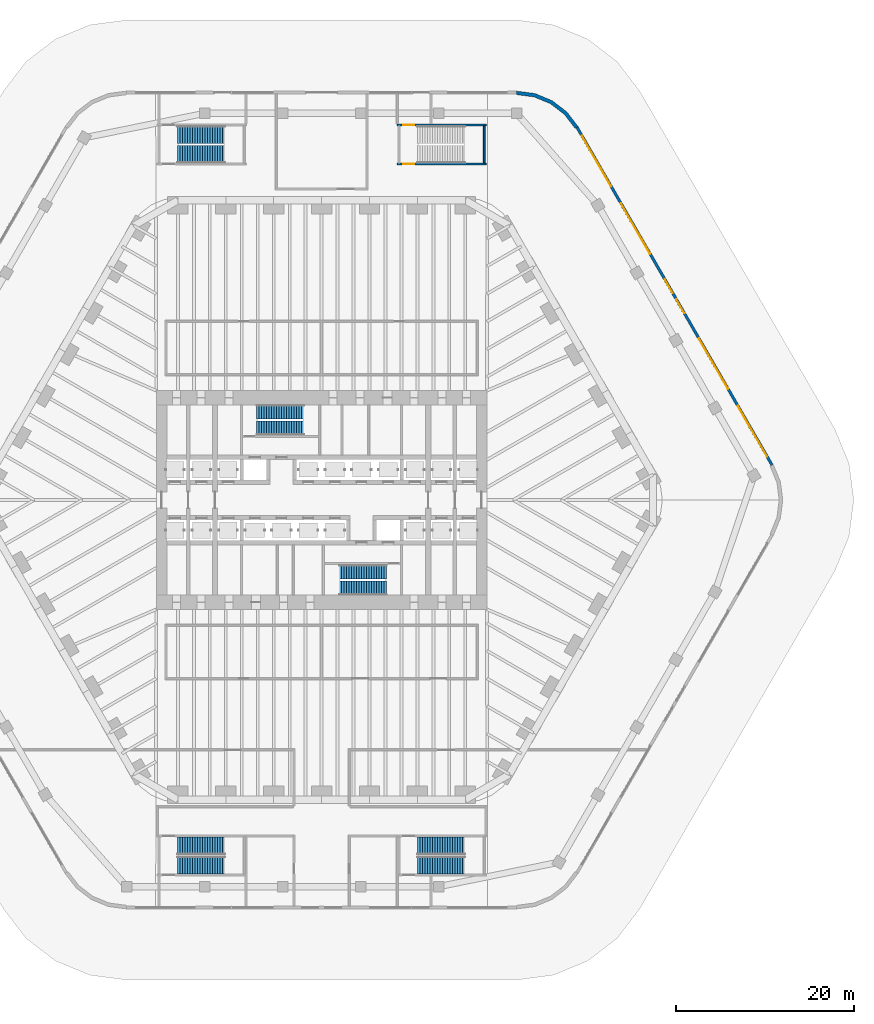
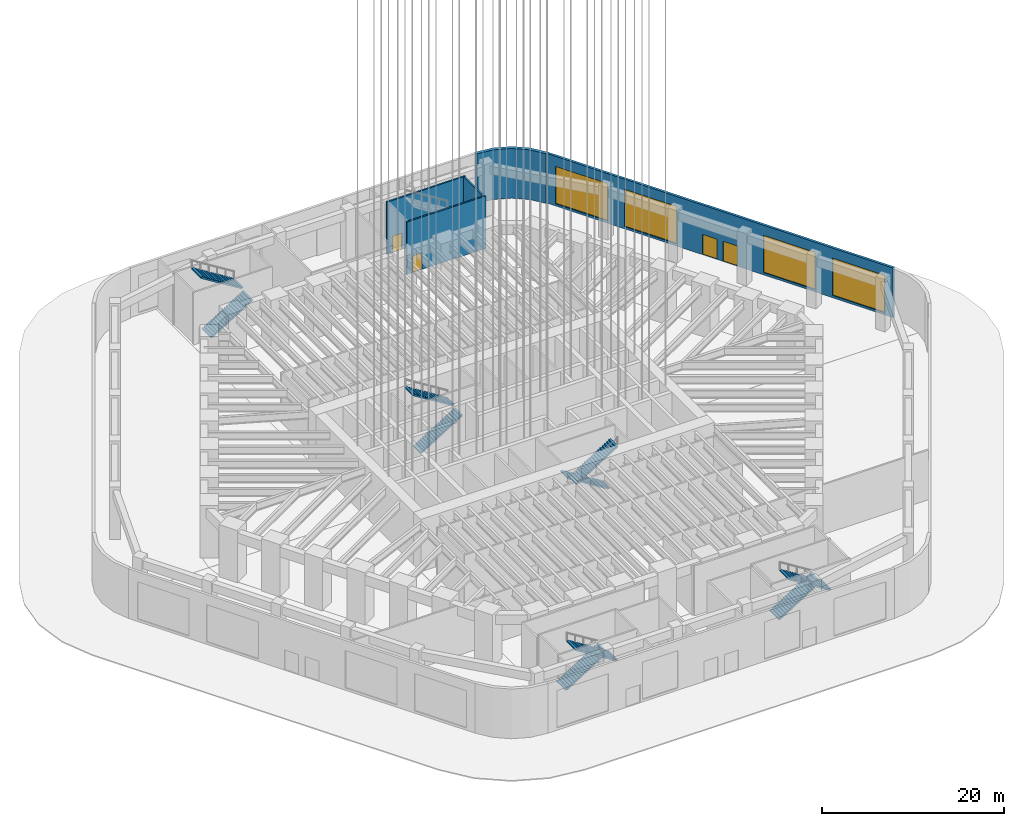
# One storey, part 11 of 23: 10 stair flights, 5 walls, 4 doors, 4 windows, 8 openings, 5 elements without a shape of their own.
"""IFC4 building model written with IfcOpenShell, lengths in metres."""

from ifc_helpers import new_model, si_unit, direction, frame, frame_2d, origin, place, context, subcontext, project, spatial, polyline, rectangle, outline, extrude, material, layer, layer_set, type_object, element, fill, aggregate, save


model = new_model("IFC4")

# Units and contexts
model_context = context("Model", 3, precision=1e-05, world=origin(), true_north=direction((0.0, 1.0)))
body_context = subcontext(model_context, "Body", "Model", "MODEL_VIEW")
ifc_project = project(units=[si_unit("LENGTHUNIT", "METRE"), si_unit("AREAUNIT", "SQUARE_METRE"), si_unit("VOLUMEUNIT", "CUBIC_METRE"), si_unit("PLANEANGLEUNIT", "RADIAN"), si_unit("MASSUNIT", "GRAM", prefix="KILO")], contexts=[model_context])

# Site, building, storey
site_placement = place(None, origin())
site = spatial("IfcSite", under=ifc_project, at=site_placement, CompositionType="ELEMENT")
building_placement = place(site_placement, origin())
building = spatial("IfcBuilding", under=site, at=building_placement, Name="Tarfa Lantern Tower", CompositionType="ELEMENT")
storey_placement = place(building_placement, origin())
storey = spatial("IfcBuildingStorey", under=building, at=storey_placement, Name="L00", CompositionType="ELEMENT", Elevation=0.0)

# Wall, openings, doors, windows
ifc_material_1 = material(Name="Limestone cladding on blockwork", Category="masonry")
ifc_layer_1 = layer(ifc_material_1, 0.300048828125)
ifc_layer_set_1 = layer_set([ifc_layer_1], Name="EW1 STONE-CLAD WALL 300")
wall_type_1 = type_object("IfcWallType", Name="EW1 STONE-CLAD WALL 300", PredefinedType="SOLIDWALL", material=ifc_layer_set_1)
wall_1_placement = place(storey_placement, frame((50.677001953125, 3.925048828125, 0.0), z_axis=(0.0, 0.0, 1.0), x_axis=(-0.500002442456, 0.866023993627, 0.0)))
wall_1 = element("IfcWall", 1, at=wall_1_placement, inside=storey, type_object=wall_type_1, Name="Podium wall NE", PredefinedType="SOLIDWALL", context=body_context, shape_type="SweptSolid", body=[
    extrude(rectangle(XDim=43.878662109375, YDim=0.300048828125, at=frame_2d((21.939453125, 0.0))), origin(), (0.0, 0.0, 1.0), 6.64990234375),
])
opening_1_placement = place(wall_1_placement, frame((1.099853515625, 0.0, 0.300048828125)))
opening_1 = element("IfcOpeningElement", 2, at=opening_1_placement, cuts=wall_1, Name="Opening W1", PredefinedType="OPENING", context=body_context, shape_type="SweptSolid", body=[
    extrude(rectangle(XDim=6.575927734375, YDim=5.0, at=frame_2d((3.2880859375, 2.5))), frame((0.0, 0.159912109375, 0.0), z_axis=(0.0, -1.0, 0.0), x_axis=(1.0, 0.0, 0.0)), (0.0, 0.0, 1.0), 0.320068359375),
])
opening_2_placement = place(wall_1_placement, frame((9.87548828125, 0.0, 0.300048828125)))
opening_2 = element("IfcOpeningElement", 3, at=opening_2_placement, cuts=wall_1, Name="Opening W1", PredefinedType="OPENING", context=body_context, shape_type="SweptSolid", body=[
    extrude(rectangle(XDim=6.575927734375, YDim=5.0, at=frame_2d((3.2880859375, 2.5))), frame((0.0, 0.159912109375, 0.0), z_axis=(0.0, -1.0, 0.0), x_axis=(1.0, 0.0, 0.0)), (0.0, 0.0, 1.0), 0.320068359375),
])
opening_3_placement = place(wall_1_placement, frame((19.7392578125, 0.0, 0.0)))
opening_3 = element("IfcOpeningElement", 4, at=opening_3_placement, cuts=wall_1, Name="Opening D44", PredefinedType="OPENING", context=body_context, shape_type="SweptSolid", body=[
    extrude(rectangle(XDim=1.800048828125, YDim=2.699951171875, at=frame_2d((0.89990234375, 1.35009765625))), frame((0.0, 0.159912109375, 0.0), z_axis=(0.0, -1.0, 0.0), x_axis=(1.0, 0.0, 0.0)), (0.0, 0.0, 1.0), 0.320068359375),
])
opening_4_placement = place(wall_1_placement, frame((22.33935546875, 0.0, 0.0)))
opening_4 = element("IfcOpeningElement", 5, at=opening_4_placement, cuts=wall_1, Name="Opening D45", PredefinedType="OPENING", context=body_context, shape_type="SweptSolid", body=[
    extrude(rectangle(XDim=1.800048828125, YDim=2.699951171875, at=frame_2d((0.89990234375, 1.35009765625))), frame((0.0, 0.159912109375, 0.0), z_axis=(0.0, -1.0, 0.0), x_axis=(1.0, 0.0, 0.0)), (0.0, 0.0, 1.0), 0.320068359375),
])
opening_5_placement = place(wall_1_placement, frame((27.427001953125, 0.0, 0.300048828125)))
opening_5 = element("IfcOpeningElement", 6, at=opening_5_placement, cuts=wall_1, Name="Opening W1", PredefinedType="OPENING", context=body_context, shape_type="SweptSolid", body=[
    extrude(rectangle(XDim=6.575927734375, YDim=5.0, at=frame_2d((3.2880859375, 2.5))), frame((0.0, 0.159912109375, 0.0), z_axis=(0.0, -1.0, 0.0), x_axis=(1.0, 0.0, 0.0)), (0.0, 0.0, 1.0), 0.320068359375),
])
opening_6_placement = place(wall_1_placement, frame((36.20263671875, 0.0, 0.300048828125)))
opening_6 = element("IfcOpeningElement", 7, at=opening_6_placement, cuts=wall_1, Name="Opening W1", PredefinedType="OPENING", context=body_context, shape_type="SweptSolid", body=[
    extrude(rectangle(XDim=6.575927734375, YDim=5.0, at=frame_2d((3.2880859375, 2.5))), frame((0.0, 0.159912109375, 0.0), z_axis=(0.0, -1.0, 0.0), x_axis=(1.0, 0.0, 0.0)), (0.0, 0.0, 1.0), 0.320068359375),
])
ifc_material_2 = material(Name="Aluminium framed glazed door", Category="aluminium")
door_type_1 = type_object("IfcDoorType", Name="EE1 ENTRANCE DOOR 1800x2700", OperationType="DOUBLE_DOOR_SINGLE_SWING", PredefinedType="DOOR", material=ifc_material_2)
door_1_placement = place(opening_3_placement, origin())
door_1 = element("IfcDoor", 8, at=door_1_placement, inside=storey, type_object=door_type_1, Name="Entrance door NE 1", OperationType="DOUBLE_DOOR_SINGLE_SWING", OverallHeight=2.699951171875, OverallWidth=1.800048828125, PredefinedType="DOOR", context=body_context, shape_type="SweptSolid", body=[
    extrude(rectangle(XDim=1.800048828125, YDim=2.699951171875, at=frame_2d((0.89990234375, 1.35009765625))), frame((0.0, 0.02490234375, 0.0), z_axis=(0.0, -1.0, 0.0), x_axis=(1.0, 0.0, 0.0)), (0.0, 0.0, 1.0), 0.050048828125),
])
fill(opening_3, door_1)
door_2_placement = place(opening_4_placement, origin())
door_2 = element("IfcDoor", 9, at=door_2_placement, inside=storey, type_object=door_type_1, Name="Entrance door NE 2", OperationType="DOUBLE_DOOR_SINGLE_SWING", OverallHeight=2.699951171875, OverallWidth=1.800048828125, PredefinedType="DOOR", context=body_context, shape_type="SweptSolid", body=[
    extrude(rectangle(XDim=1.800048828125, YDim=2.699951171875, at=frame_2d((0.89990234375, 1.35009765625))), frame((0.0, 0.02490234375, 0.0), z_axis=(0.0, -1.0, 0.0), x_axis=(1.0, 0.0, 0.0)), (0.0, 0.0, 1.0), 0.050048828125),
])
fill(opening_4, door_2)
ifc_material_3 = material(Name="Aluminium frame, double glazed", Category="aluminium")
window_type = type_object("IfcWindowType", Name="W1 SHOPFRONT GLAZING 6576x5000", PartitioningType="SINGLE_PANEL", PredefinedType="WINDOW", material=ifc_material_3)
window_1_placement = place(opening_1_placement, origin())
window_1 = element("IfcWindow", 10, at=window_1_placement, inside=storey, type_object=window_type, Name="Shopfront NE 1", OverallHeight=5.0, OverallWidth=6.575927734375, PartitioningType="SINGLE_PANEL", PredefinedType="WINDOW", context=body_context, shape_type="SweptSolid", body=[
    extrude(rectangle(XDim=6.575927734375, YDim=5.0, at=frame_2d((3.2880859375, 2.5))), frame((0.0, 0.030029296875, 0.0), z_axis=(0.0, -1.0, 0.0), x_axis=(1.0, 0.0, 0.0)), (0.0, 0.0, 1.0), 0.06005859375),
])
fill(opening_1, window_1)
window_2_placement = place(opening_2_placement, origin())
window_2 = element("IfcWindow", 11, at=window_2_placement, inside=storey, type_object=window_type, Name="Shopfront NE 2", OverallHeight=5.0, OverallWidth=6.575927734375, PartitioningType="SINGLE_PANEL", PredefinedType="WINDOW", context=body_context, shape_type="SweptSolid", body=[
    extrude(rectangle(XDim=6.575927734375, YDim=5.0, at=frame_2d((3.2880859375, 2.5))), frame((0.0, 0.030029296875, 0.0), z_axis=(0.0, -1.0, 0.0), x_axis=(1.0, 0.0, 0.0)), (0.0, 0.0, 1.0), 0.06005859375),
])
fill(opening_2, window_2)
window_3_placement = place(opening_5_placement, origin())
window_3 = element("IfcWindow", 12, at=window_3_placement, inside=storey, type_object=window_type, Name="Shopfront NE 4", OverallHeight=5.0, OverallWidth=6.575927734375, PartitioningType="SINGLE_PANEL", PredefinedType="WINDOW", context=body_context, shape_type="SweptSolid", body=[
    extrude(rectangle(XDim=6.575927734375, YDim=5.0, at=frame_2d((3.2880859375, 2.5))), frame((0.0, 0.030029296875, 0.0), z_axis=(0.0, -1.0, 0.0), x_axis=(1.0, 0.0, 0.0)), (0.0, 0.0, 1.0), 0.06005859375),
])
fill(opening_5, window_3)
window_4_placement = place(opening_6_placement, origin())
window_4 = element("IfcWindow", 13, at=window_4_placement, inside=storey, type_object=window_type, Name="Shopfront NE 5", OverallHeight=5.0, OverallWidth=6.575927734375, PartitioningType="SINGLE_PANEL", PredefinedType="WINDOW", context=body_context, shape_type="SweptSolid", body=[
    extrude(rectangle(XDim=6.575927734375, YDim=5.0, at=frame_2d((3.2880859375, 2.5))), frame((0.0, 0.030029296875, 0.0), z_axis=(0.0, -1.0, 0.0), x_axis=(1.0, 0.0, 0.0)), (0.0, 0.0, 1.0), 0.06005859375),
])
fill(opening_6, window_4)

# Wall
ifc_layer_2 = layer(ifc_material_1, 0.39990234375)
ifc_layer_set_2 = layer_set([ifc_layer_2], Name="EW2 CURVED STONE CORNER 400")
wall_type_2 = type_object("IfcWallType", Name="EW2 CURVED STONE CORNER 400", PredefinedType="SOLIDWALL", material=ifc_layer_set_2)
wall_2_placement = place(storey_placement, origin())
element("IfcWall", 14, at=wall_2_placement, inside=storey, type_object=wall_type_2, Name="Stone corner NE-N", PredefinedType="SOLIDWALL", context=body_context, shape_type="SweptSolid", body=[
    extrude(outline(polyline([(28.867431640625, 42.0), (27.59619140625, 43.65673828125), (25.939208984375, 44.92822265625), (24.009765625, 45.727294921875), (21.939208984375, 46.0), (21.939208984375, 45.60009765625), (23.90625, 45.341064453125), (25.7392578125, 44.581787109375), (27.313232421875, 43.3740234375), (28.52099609375, 41.800048828125), (28.867431640625, 42.0)])), origin(), (0.0, 0.0, 1.0), 6.64990234375),
])

# Wall, opening, door
ifc_material_4 = material(Name="Concrete C80/95", Category="concrete")
ifc_layer_3 = layer(ifc_material_4, 0.199951171875)
ifc_layer_set_3 = layer_set([ifc_layer_3], Name="SW12 CORE WALL 200")
wall_type_3 = type_object("IfcWallType", Name="SW12 CORE WALL 200", PredefinedType="SHEAR", material=ifc_layer_set_3)
wall_3_placement = place(storey_placement, frame((8.5, 37.800048828125, 0.0), z_axis=(0.0, 0.0, 1.0), x_axis=(1.0, 0.0, 0.0)))
wall_3 = element("IfcWall", 15, at=wall_3_placement, inside=storey, type_object=wall_type_3, Name="Stair ST3 shaft wall", PredefinedType="SHEAR", context=body_context, shape_type="SweptSolid", body=[
    extrude(rectangle(XDim=10.0, YDim=0.199951171875, at=frame_2d((5.0, 0.0))), origin(), (0.0, 0.0, 1.0), 7.0),
])
opening_7_placement = place(wall_3_placement, frame((0.699951171875, 0.0, 0.0)))
opening_7 = element("IfcOpeningElement", 16, at=opening_7_placement, cuts=wall_3, Name="Opening D29", PredefinedType="OPENING", context=body_context, shape_type="SweptSolid", body=[
    extrude(rectangle(XDim=1.199951171875, YDim=2.199951171875, at=frame_2d((0.60009765625, 1.10009765625))), frame((0.0, 0.10986328125, 0.0), z_axis=(0.0, -1.0, 0.0), x_axis=(1.0, 0.0, 0.0)), (0.0, 0.0, 1.0), 0.219970703125),
])
ifc_material_5 = material(Name="Steel fire door", Category="steel")
door_type_2 = type_object("IfcDoorType", Name="DF9 STAIR DOOR 1200x2200", OperationType="SINGLE_SWING_LEFT", PredefinedType="DOOR", material=ifc_material_5)
door_3_placement = place(opening_7_placement, origin())
door_3 = element("IfcDoor", 17, at=door_3_placement, inside=storey, type_object=door_type_2, Name="Stair door", OperationType="SINGLE_SWING_RIGHT", OverallHeight=2.199951171875, OverallWidth=1.199951171875, PredefinedType="DOOR", context=body_context, shape_type="SweptSolid", body=[
    extrude(rectangle(XDim=1.199951171875, YDim=2.199951171875, at=frame_2d((0.60009765625, 1.10009765625))), frame((0.0, 0.02490234375, 0.0), z_axis=(0.0, -1.0, 0.0), x_axis=(1.0, 0.0, 0.0)), (0.0, 0.0, 1.0), 0.050048828125),
])
fill(opening_7, door_3)

wall_4_placement = place(storey_placement, frame((18.5, 42.199951171875, 0.0), z_axis=(0.0, 0.0, 1.0), x_axis=(-1.0, 0.0, 0.0)))
wall_4 = element("IfcWall", 18, at=wall_4_placement, inside=storey, type_object=wall_type_3, Name="Stair ST3 shaft wall", PredefinedType="SHEAR", context=body_context, shape_type="SweptSolid", body=[
    extrude(rectangle(XDim=10.0, YDim=0.199951171875, at=frame_2d((5.0, 0.0))), origin(), (0.0, 0.0, 1.0), 7.0),
])
opening_8_placement = place(wall_4_placement, frame((8.10009765625, 0.0, 0.0)))
opening_8 = element("IfcOpeningElement", 19, at=opening_8_placement, cuts=wall_4, Name="Opening D54", PredefinedType="OPENING", context=body_context, shape_type="SweptSolid", body=[
    extrude(rectangle(XDim=1.199951171875, YDim=2.199951171875, at=frame_2d((0.60009765625, 1.10009765625))), frame((0.0, 0.10986328125, 0.0), z_axis=(0.0, -1.0, 0.0), x_axis=(1.0, 0.0, 0.0)), (0.0, 0.0, 1.0), 0.219970703125),
])
door_4_placement = place(opening_8_placement, frame((1.199951171875, 0.0, 0.0), z_axis=(0.0, 0.0, 1.0), x_axis=(-1.0, 0.0, 0.0)))
door_4 = element("IfcDoor", 20, at=door_4_placement, inside=storey, type_object=door_type_2, Name="Stair door", OperationType="SINGLE_SWING_RIGHT", OverallHeight=2.199951171875, OverallWidth=1.199951171875, PredefinedType="DOOR", context=body_context, shape_type="SweptSolid", body=[
    extrude(rectangle(XDim=1.199951171875, YDim=2.199951171875, at=frame_2d((0.60009765625, 1.10009765625))), frame((0.0, 0.02490234375, 0.0), z_axis=(0.0, -1.0, 0.0), x_axis=(1.0, 0.0, 0.0)), (0.0, 0.0, 1.0), 0.050048828125),
])
fill(opening_8, door_4)

# Wall
wall_5_placement = place(storey_placement, frame((18.300048828125, 37.89990234375, 0.0), z_axis=(0.0, 0.0, 1.0), x_axis=(0.0, 1.0, 0.0)))
element("IfcWall", 21, at=wall_5_placement, inside=storey, type_object=wall_type_3, Name="Stair ST3 shaft wall", PredefinedType="SHEAR", context=body_context, shape_type="SweptSolid", body=[
    extrude(rectangle(XDim=4.2001953125, YDim=0.199951171875, at=frame_2d((2.10009765625, 0.0))), origin(), (0.0, 0.0, 1.0), 7.0),
])

# Stair, stair flights
ifc_material_6 = material(Name="Concrete C40/50", Category="concrete")
stair_type_1 = type_object("IfcStairType", Name="ST-T3 HALF-TURN STAIR 7000 RISE", PredefinedType="HALF_TURN_STAIR", material=ifc_material_6)
stair_1_placement = place(storey_placement, origin())
stair_1 = element("IfcStair", 22, at=stair_1_placement, inside=storey, type_object=stair_type_1, Name="Stair ST1", PredefinedType="HALF_TURN_STAIR")
stair_flight_type = type_object("IfcStairFlightType", Name="SF1 STAIR FLIGHT", PredefinedType="STRAIGHT", material=ifc_material_6)
stair_flight_1_placement = place(storey_placement, frame((-7.300048828125, 8.10009765625, 0.0), z_axis=(0.0, 0.0, 1.0), x_axis=(1.0, 0.0, 0.0)))
stair_flight_1 = element("IfcStairFlight", 23, at=stair_flight_1_placement, type_object=stair_flight_type, Name="ST1 flight 1", NumberOfRisers=20, NumberOfTreads=19, PredefinedType="STRAIGHT", RiserHeight=0.175, TreadLength=0.28, context=body_context, shape_type="SweptSolid", body=[
    extrude(outline(polyline([(0.0, 0.0), (0.0, 0.175048828125), (0.280029296875, 0.175048828125), (0.280029296875, 0.35009765625), (0.56005859375, 0.35009765625), (0.56005859375, 0.52490234375), (0.840087890625, 0.52490234375), (0.840087890625, 0.699951171875), (1.1201171875, 0.699951171875), (1.1201171875, 0.875), (1.39990234375, 0.875), (1.39990234375, 1.050048828125), (1.679931640625, 1.050048828125), (1.679931640625, 1.22509765625), (1.9599609375, 1.22509765625), (1.9599609375, 1.39990234375), (2.239990234375, 1.39990234375), (2.239990234375, 1.574951171875), (2.52001953125, 1.574951171875), (2.52001953125, 1.75), (2.800048828125, 1.75), (2.800048828125, 1.925048828125), (3.080078125, 1.925048828125), (3.080078125, 2.10009765625), (3.360107421875, 2.10009765625), (3.360107421875, 2.27490234375), (3.639892578125, 2.27490234375), (3.639892578125, 2.449951171875), (3.919921875, 2.449951171875), (3.919921875, 2.625), (4.199951171875, 2.625), (4.199951171875, 2.800048828125), (4.47998046875, 2.800048828125), (4.47998046875, 2.97509765625), (4.760009765625, 2.97509765625), (4.760009765625, 3.14990234375), (5.0400390625, 3.14990234375), (5.0400390625, 3.324951171875), (5.320068359375, 3.324951171875), (5.320068359375, 3.5), (5.320068359375, 3.148193359375), (0.28271484375, 0.0), (0.0, 0.0)])), frame((0.0, 0.800048828125, 0.0), z_axis=(0.0, -1.0, 0.0), x_axis=(1.0, 0.0, 0.0)), (0.0, 0.0, 1.0), 1.60009765625),
])
stair_flight_2_placement = place(storey_placement, frame((-1.97998046875, 9.89990234375, 3.5), z_axis=(0.0, 0.0, 1.0), x_axis=(-1.0, 0.0, 0.0)))
stair_flight_2 = element("IfcStairFlight", 24, at=stair_flight_2_placement, type_object=stair_flight_type, Name="ST1 flight 2", NumberOfRisers=20, NumberOfTreads=19, PredefinedType="STRAIGHT", RiserHeight=0.175, TreadLength=0.28, context=body_context, shape_type="SweptSolid", body=[
    extrude(outline(polyline([(0.0, 0.0), (0.0, 0.175048828125), (0.280029296875, 0.175048828125), (0.280029296875, 0.35009765625), (0.56005859375, 0.35009765625), (0.56005859375, 0.52490234375), (0.840087890625, 0.52490234375), (0.840087890625, 0.699951171875), (1.1201171875, 0.699951171875), (1.1201171875, 0.875), (1.39990234375, 0.875), (1.39990234375, 1.050048828125), (1.679931640625, 1.050048828125), (1.679931640625, 1.22509765625), (1.9599609375, 1.22509765625), (1.9599609375, 1.39990234375), (2.239990234375, 1.39990234375), (2.239990234375, 1.574951171875), (2.52001953125, 1.574951171875), (2.52001953125, 1.75), (2.800048828125, 1.75), (2.800048828125, 1.925048828125), (3.080078125, 1.925048828125), (3.080078125, 2.10009765625), (3.360107421875, 2.10009765625), (3.360107421875, 2.27490234375), (3.639892578125, 2.27490234375), (3.639892578125, 2.449951171875), (3.919921875, 2.449951171875), (3.919921875, 2.625), (4.199951171875, 2.625), (4.199951171875, 2.800048828125), (4.47998046875, 2.800048828125), (4.47998046875, 2.97509765625), (4.760009765625, 2.97509765625), (4.760009765625, 3.14990234375), (5.0400390625, 3.14990234375), (5.0400390625, 3.324951171875), (5.320068359375, 3.324951171875), (5.320068359375, 3.5), (5.320068359375, 3.148193359375), (0.28271484375, 0.0), (0.0, 0.0)])), frame((0.0, 0.800048828125, 0.0), z_axis=(0.0, -1.0, 0.0), x_axis=(1.0, 0.0, 0.0)), (0.0, 0.0, 1.0), 1.60009765625),
])
aggregate(stair_1, [stair_flight_1, stair_flight_2])

stair_2_placement = place(storey_placement, origin())
stair_2 = element("IfcStair", 25, at=stair_2_placement, inside=storey, type_object=stair_type_1, Name="Stair ST2", PredefinedType="HALF_TURN_STAIR")
stair_flight_3_placement = place(storey_placement, frame((7.300048828125, -8.10009765625, 0.0), z_axis=(0.0, 0.0, 1.0), x_axis=(-1.0, 0.0, 0.0)))
stair_flight_3 = element("IfcStairFlight", 26, at=stair_flight_3_placement, type_object=stair_flight_type, Name="ST2 flight 1", NumberOfRisers=20, NumberOfTreads=19, PredefinedType="STRAIGHT", RiserHeight=0.175, TreadLength=0.28, context=body_context, shape_type="SweptSolid", body=[
    extrude(outline(polyline([(0.0, 0.0), (0.0, 0.175048828125), (0.280029296875, 0.175048828125), (0.280029296875, 0.35009765625), (0.56005859375, 0.35009765625), (0.56005859375, 0.52490234375), (0.840087890625, 0.52490234375), (0.840087890625, 0.699951171875), (1.1201171875, 0.699951171875), (1.1201171875, 0.875), (1.39990234375, 0.875), (1.39990234375, 1.050048828125), (1.679931640625, 1.050048828125), (1.679931640625, 1.22509765625), (1.9599609375, 1.22509765625), (1.9599609375, 1.39990234375), (2.239990234375, 1.39990234375), (2.239990234375, 1.574951171875), (2.52001953125, 1.574951171875), (2.52001953125, 1.75), (2.800048828125, 1.75), (2.800048828125, 1.925048828125), (3.080078125, 1.925048828125), (3.080078125, 2.10009765625), (3.360107421875, 2.10009765625), (3.360107421875, 2.27490234375), (3.639892578125, 2.27490234375), (3.639892578125, 2.449951171875), (3.919921875, 2.449951171875), (3.919921875, 2.625), (4.199951171875, 2.625), (4.199951171875, 2.800048828125), (4.47998046875, 2.800048828125), (4.47998046875, 2.97509765625), (4.760009765625, 2.97509765625), (4.760009765625, 3.14990234375), (5.0400390625, 3.14990234375), (5.0400390625, 3.324951171875), (5.320068359375, 3.324951171875), (5.320068359375, 3.5), (5.320068359375, 3.148193359375), (0.28271484375, 0.0), (0.0, 0.0)])), frame((0.0, 0.800048828125, 0.0), z_axis=(0.0, -1.0, 0.0), x_axis=(1.0, 0.0, 0.0)), (0.0, 0.0, 1.0), 1.60009765625),
])
stair_flight_4_placement = place(storey_placement, frame((1.97998046875, -9.89990234375, 3.5), z_axis=(0.0, 0.0, 1.0), x_axis=(1.0, 0.0, 0.0)))
stair_flight_4 = element("IfcStairFlight", 27, at=stair_flight_4_placement, type_object=stair_flight_type, Name="ST2 flight 2", NumberOfRisers=20, NumberOfTreads=19, PredefinedType="STRAIGHT", RiserHeight=0.175, TreadLength=0.28, context=body_context, shape_type="SweptSolid", body=[
    extrude(outline(polyline([(0.0, 0.0), (0.0, 0.175048828125), (0.280029296875, 0.175048828125), (0.280029296875, 0.35009765625), (0.56005859375, 0.35009765625), (0.56005859375, 0.52490234375), (0.840087890625, 0.52490234375), (0.840087890625, 0.699951171875), (1.1201171875, 0.699951171875), (1.1201171875, 0.875), (1.39990234375, 0.875), (1.39990234375, 1.050048828125), (1.679931640625, 1.050048828125), (1.679931640625, 1.22509765625), (1.9599609375, 1.22509765625), (1.9599609375, 1.39990234375), (2.239990234375, 1.39990234375), (2.239990234375, 1.574951171875), (2.52001953125, 1.574951171875), (2.52001953125, 1.75), (2.800048828125, 1.75), (2.800048828125, 1.925048828125), (3.080078125, 1.925048828125), (3.080078125, 2.10009765625), (3.360107421875, 2.10009765625), (3.360107421875, 2.27490234375), (3.639892578125, 2.27490234375), (3.639892578125, 2.449951171875), (3.919921875, 2.449951171875), (3.919921875, 2.625), (4.199951171875, 2.625), (4.199951171875, 2.800048828125), (4.47998046875, 2.800048828125), (4.47998046875, 2.97509765625), (4.760009765625, 2.97509765625), (4.760009765625, 3.14990234375), (5.0400390625, 3.14990234375), (5.0400390625, 3.324951171875), (5.320068359375, 3.324951171875), (5.320068359375, 3.5), (5.320068359375, 3.148193359375), (0.28271484375, 0.0), (0.0, 0.0)])), frame((0.0, 0.800048828125, 0.0), z_axis=(0.0, -1.0, 0.0), x_axis=(1.0, 0.0, 0.0)), (0.0, 0.0, 1.0), 1.60009765625),
])
aggregate(stair_2, [stair_flight_3, stair_flight_4])

stair_type_2 = type_object("IfcStairType", Name="ST-T4 HALF-TURN STAIR 7000 RISE", PredefinedType="HALF_TURN_STAIR", material=ifc_material_6)
stair_3_placement = place(storey_placement, origin())
stair_3 = element("IfcStair", 28, at=stair_3_placement, inside=storey, type_object=stair_type_2, Name="Stair ST4", PredefinedType="HALF_TURN_STAIR")
stair_flight_5_placement = place(storey_placement, frame((-16.199951171875, 38.89990234375, 0.0), z_axis=(0.0, 0.0, 1.0), x_axis=(1.0, 0.0, 0.0)))
stair_flight_5 = element("IfcStairFlight", 29, at=stair_flight_5_placement, type_object=stair_flight_type, Name="ST4 flight 1", NumberOfRisers=20, NumberOfTreads=19, PredefinedType="STRAIGHT", RiserHeight=0.175, TreadLength=0.28, context=body_context, shape_type="SweptSolid", body=[
    extrude(outline(polyline([(0.0, 0.0), (0.0, 0.175048828125), (0.280029296875, 0.175048828125), (0.280029296875, 0.35009765625), (0.56005859375, 0.35009765625), (0.56005859375, 0.52490234375), (0.840087890625, 0.52490234375), (0.840087890625, 0.699951171875), (1.1201171875, 0.699951171875), (1.1201171875, 0.875), (1.39990234375, 0.875), (1.39990234375, 1.050048828125), (1.679931640625, 1.050048828125), (1.679931640625, 1.22509765625), (1.9599609375, 1.22509765625), (1.9599609375, 1.39990234375), (2.239990234375, 1.39990234375), (2.239990234375, 1.574951171875), (2.52001953125, 1.574951171875), (2.52001953125, 1.75), (2.800048828125, 1.75), (2.800048828125, 1.925048828125), (3.080078125, 1.925048828125), (3.080078125, 2.10009765625), (3.360107421875, 2.10009765625), (3.360107421875, 2.27490234375), (3.639892578125, 2.27490234375), (3.639892578125, 2.449951171875), (3.919921875, 2.449951171875), (3.919921875, 2.625), (4.199951171875, 2.625), (4.199951171875, 2.800048828125), (4.47998046875, 2.800048828125), (4.47998046875, 2.97509765625), (4.760009765625, 2.97509765625), (4.760009765625, 3.14990234375), (5.0400390625, 3.14990234375), (5.0400390625, 3.324951171875), (5.320068359375, 3.324951171875), (5.320068359375, 3.5), (5.320068359375, 3.148193359375), (0.28271484375, 0.0), (0.0, 0.0)])), frame((0.0, 1.0, 0.0), z_axis=(0.0, -1.0, 0.0), x_axis=(1.0, 0.0, 0.0)), (0.0, 0.0, 1.0), 2.0),
])
stair_flight_6_placement = place(storey_placement, frame((-10.8798828125, 41.10009765625, 3.5), z_axis=(0.0, 0.0, 1.0), x_axis=(-1.0, 0.0, 0.0)))
stair_flight_6 = element("IfcStairFlight", 30, at=stair_flight_6_placement, type_object=stair_flight_type, Name="ST4 flight 2", NumberOfRisers=20, NumberOfTreads=19, PredefinedType="STRAIGHT", RiserHeight=0.175, TreadLength=0.28, context=body_context, shape_type="SweptSolid", body=[
    extrude(outline(polyline([(0.0, 0.0), (0.0, 0.175048828125), (0.280029296875, 0.175048828125), (0.280029296875, 0.35009765625), (0.56005859375, 0.35009765625), (0.56005859375, 0.52490234375), (0.840087890625, 0.52490234375), (0.840087890625, 0.699951171875), (1.1201171875, 0.699951171875), (1.1201171875, 0.875), (1.39990234375, 0.875), (1.39990234375, 1.050048828125), (1.679931640625, 1.050048828125), (1.679931640625, 1.22509765625), (1.9599609375, 1.22509765625), (1.9599609375, 1.39990234375), (2.239990234375, 1.39990234375), (2.239990234375, 1.574951171875), (2.52001953125, 1.574951171875), (2.52001953125, 1.75), (2.800048828125, 1.75), (2.800048828125, 1.925048828125), (3.080078125, 1.925048828125), (3.080078125, 2.10009765625), (3.360107421875, 2.10009765625), (3.360107421875, 2.27490234375), (3.639892578125, 2.27490234375), (3.639892578125, 2.449951171875), (3.919921875, 2.449951171875), (3.919921875, 2.625), (4.199951171875, 2.625), (4.199951171875, 2.800048828125), (4.47998046875, 2.800048828125), (4.47998046875, 2.97509765625), (4.760009765625, 2.97509765625), (4.760009765625, 3.14990234375), (5.0400390625, 3.14990234375), (5.0400390625, 3.324951171875), (5.320068359375, 3.324951171875), (5.320068359375, 3.5), (5.320068359375, 3.148193359375), (0.28271484375, 0.0), (0.0, 0.0)])), frame((0.0, 1.0, 0.0), z_axis=(0.0, -1.0, 0.0), x_axis=(1.0, 0.0, 0.0)), (0.0, 0.0, 1.0), 2.0),
])
aggregate(stair_3, [stair_flight_5, stair_flight_6])

stair_4_placement = place(storey_placement, origin())
stair_4 = element("IfcStair", 31, at=stair_4_placement, inside=storey, type_object=stair_type_2, Name="Stair ST5", PredefinedType="HALF_TURN_STAIR")
stair_flight_7_placement = place(storey_placement, frame((-16.199951171875, -38.89990234375, 0.0), z_axis=(0.0, 0.0, 1.0), x_axis=(1.0, 0.0, 0.0)))
stair_flight_7 = element("IfcStairFlight", 32, at=stair_flight_7_placement, type_object=stair_flight_type, Name="ST5 flight 1", NumberOfRisers=20, NumberOfTreads=19, PredefinedType="STRAIGHT", RiserHeight=0.175, TreadLength=0.28, context=body_context, shape_type="SweptSolid", body=[
    extrude(outline(polyline([(0.0, 0.0), (0.0, 0.175048828125), (0.280029296875, 0.175048828125), (0.280029296875, 0.35009765625), (0.56005859375, 0.35009765625), (0.56005859375, 0.52490234375), (0.840087890625, 0.52490234375), (0.840087890625, 0.699951171875), (1.1201171875, 0.699951171875), (1.1201171875, 0.875), (1.39990234375, 0.875), (1.39990234375, 1.050048828125), (1.679931640625, 1.050048828125), (1.679931640625, 1.22509765625), (1.9599609375, 1.22509765625), (1.9599609375, 1.39990234375), (2.239990234375, 1.39990234375), (2.239990234375, 1.574951171875), (2.52001953125, 1.574951171875), (2.52001953125, 1.75), (2.800048828125, 1.75), (2.800048828125, 1.925048828125), (3.080078125, 1.925048828125), (3.080078125, 2.10009765625), (3.360107421875, 2.10009765625), (3.360107421875, 2.27490234375), (3.639892578125, 2.27490234375), (3.639892578125, 2.449951171875), (3.919921875, 2.449951171875), (3.919921875, 2.625), (4.199951171875, 2.625), (4.199951171875, 2.800048828125), (4.47998046875, 2.800048828125), (4.47998046875, 2.97509765625), (4.760009765625, 2.97509765625), (4.760009765625, 3.14990234375), (5.0400390625, 3.14990234375), (5.0400390625, 3.324951171875), (5.320068359375, 3.324951171875), (5.320068359375, 3.5), (5.320068359375, 3.148193359375), (0.28271484375, 0.0), (0.0, 0.0)])), frame((0.0, 1.0, 0.0), z_axis=(0.0, -1.0, 0.0), x_axis=(1.0, 0.0, 0.0)), (0.0, 0.0, 1.0), 2.0),
])
stair_flight_8_placement = place(storey_placement, frame((-10.8798828125, -41.10009765625, 3.5), z_axis=(0.0, 0.0, 1.0), x_axis=(-1.0, 0.0, 0.0)))
stair_flight_8 = element("IfcStairFlight", 33, at=stair_flight_8_placement, type_object=stair_flight_type, Name="ST5 flight 2", NumberOfRisers=20, NumberOfTreads=19, PredefinedType="STRAIGHT", RiserHeight=0.175, TreadLength=0.28, context=body_context, shape_type="SweptSolid", body=[
    extrude(outline(polyline([(0.0, 0.0), (0.0, 0.175048828125), (0.280029296875, 0.175048828125), (0.280029296875, 0.35009765625), (0.56005859375, 0.35009765625), (0.56005859375, 0.52490234375), (0.840087890625, 0.52490234375), (0.840087890625, 0.699951171875), (1.1201171875, 0.699951171875), (1.1201171875, 0.875), (1.39990234375, 0.875), (1.39990234375, 1.050048828125), (1.679931640625, 1.050048828125), (1.679931640625, 1.22509765625), (1.9599609375, 1.22509765625), (1.9599609375, 1.39990234375), (2.239990234375, 1.39990234375), (2.239990234375, 1.574951171875), (2.52001953125, 1.574951171875), (2.52001953125, 1.75), (2.800048828125, 1.75), (2.800048828125, 1.925048828125), (3.080078125, 1.925048828125), (3.080078125, 2.10009765625), (3.360107421875, 2.10009765625), (3.360107421875, 2.27490234375), (3.639892578125, 2.27490234375), (3.639892578125, 2.449951171875), (3.919921875, 2.449951171875), (3.919921875, 2.625), (4.199951171875, 2.625), (4.199951171875, 2.800048828125), (4.47998046875, 2.800048828125), (4.47998046875, 2.97509765625), (4.760009765625, 2.97509765625), (4.760009765625, 3.14990234375), (5.0400390625, 3.14990234375), (5.0400390625, 3.324951171875), (5.320068359375, 3.324951171875), (5.320068359375, 3.5), (5.320068359375, 3.148193359375), (0.28271484375, 0.0), (0.0, 0.0)])), frame((0.0, 1.0, 0.0), z_axis=(0.0, -1.0, 0.0), x_axis=(1.0, 0.0, 0.0)), (0.0, 0.0, 1.0), 2.0),
])
aggregate(stair_4, [stair_flight_7, stair_flight_8])

stair_5_placement = place(storey_placement, origin())
stair_5 = element("IfcStair", 34, at=stair_5_placement, inside=storey, type_object=stair_type_2, Name="Stair ST6", PredefinedType="HALF_TURN_STAIR")
stair_flight_9_placement = place(storey_placement, frame((10.800048828125, -38.89990234375, 0.0), z_axis=(0.0, 0.0, 1.0), x_axis=(1.0, 0.0, 0.0)))
stair_flight_9 = element("IfcStairFlight", 35, at=stair_flight_9_placement, type_object=stair_flight_type, Name="ST6 flight 1", NumberOfRisers=20, NumberOfTreads=19, PredefinedType="STRAIGHT", RiserHeight=0.175, TreadLength=0.28, context=body_context, shape_type="SweptSolid", body=[
    extrude(outline(polyline([(0.0, 0.0), (0.0, 0.175048828125), (0.280029296875, 0.175048828125), (0.280029296875, 0.35009765625), (0.56005859375, 0.35009765625), (0.56005859375, 0.52490234375), (0.840087890625, 0.52490234375), (0.840087890625, 0.699951171875), (1.1201171875, 0.699951171875), (1.1201171875, 0.875), (1.39990234375, 0.875), (1.39990234375, 1.050048828125), (1.679931640625, 1.050048828125), (1.679931640625, 1.22509765625), (1.9599609375, 1.22509765625), (1.9599609375, 1.39990234375), (2.239990234375, 1.39990234375), (2.239990234375, 1.574951171875), (2.52001953125, 1.574951171875), (2.52001953125, 1.75), (2.800048828125, 1.75), (2.800048828125, 1.925048828125), (3.080078125, 1.925048828125), (3.080078125, 2.10009765625), (3.360107421875, 2.10009765625), (3.360107421875, 2.27490234375), (3.639892578125, 2.27490234375), (3.639892578125, 2.449951171875), (3.919921875, 2.449951171875), (3.919921875, 2.625), (4.199951171875, 2.625), (4.199951171875, 2.800048828125), (4.47998046875, 2.800048828125), (4.47998046875, 2.97509765625), (4.760009765625, 2.97509765625), (4.760009765625, 3.14990234375), (5.0400390625, 3.14990234375), (5.0400390625, 3.324951171875), (5.320068359375, 3.324951171875), (5.320068359375, 3.5), (5.320068359375, 3.148193359375), (0.28271484375, 0.0), (0.0, 0.0)])), frame((0.0, 1.0, 0.0), z_axis=(0.0, -1.0, 0.0), x_axis=(1.0, 0.0, 0.0)), (0.0, 0.0, 1.0), 2.0),
])
stair_flight_10_placement = place(storey_placement, frame((16.1201171875, -41.10009765625, 3.5), z_axis=(0.0, 0.0, 1.0), x_axis=(-1.0, 0.0, 0.0)))
stair_flight_10 = element("IfcStairFlight", 36, at=stair_flight_10_placement, type_object=stair_flight_type, Name="ST6 flight 2", NumberOfRisers=20, NumberOfTreads=19, PredefinedType="STRAIGHT", RiserHeight=0.175, TreadLength=0.28, context=body_context, shape_type="SweptSolid", body=[
    extrude(outline(polyline([(0.0, 0.0), (0.0, 0.175048828125), (0.280029296875, 0.175048828125), (0.280029296875, 0.35009765625), (0.56005859375, 0.35009765625), (0.56005859375, 0.52490234375), (0.840087890625, 0.52490234375), (0.840087890625, 0.699951171875), (1.1201171875, 0.699951171875), (1.1201171875, 0.875), (1.39990234375, 0.875), (1.39990234375, 1.050048828125), (1.679931640625, 1.050048828125), (1.679931640625, 1.22509765625), (1.9599609375, 1.22509765625), (1.9599609375, 1.39990234375), (2.239990234375, 1.39990234375), (2.239990234375, 1.574951171875), (2.52001953125, 1.574951171875), (2.52001953125, 1.75), (2.800048828125, 1.75), (2.800048828125, 1.925048828125), (3.080078125, 1.925048828125), (3.080078125, 2.10009765625), (3.360107421875, 2.10009765625), (3.360107421875, 2.27490234375), (3.639892578125, 2.27490234375), (3.639892578125, 2.449951171875), (3.919921875, 2.449951171875), (3.919921875, 2.625), (4.199951171875, 2.625), (4.199951171875, 2.800048828125), (4.47998046875, 2.800048828125), (4.47998046875, 2.97509765625), (4.760009765625, 2.97509765625), (4.760009765625, 3.14990234375), (5.0400390625, 3.14990234375), (5.0400390625, 3.324951171875), (5.320068359375, 3.324951171875), (5.320068359375, 3.5), (5.320068359375, 3.148193359375), (0.28271484375, 0.0), (0.0, 0.0)])), frame((0.0, 1.0, 0.0), z_axis=(0.0, -1.0, 0.0), x_axis=(1.0, 0.0, 0.0)), (0.0, 0.0, 1.0), 2.0),
])
aggregate(stair_5, [stair_flight_9, stair_flight_10])

save(model, "model.ifc")
